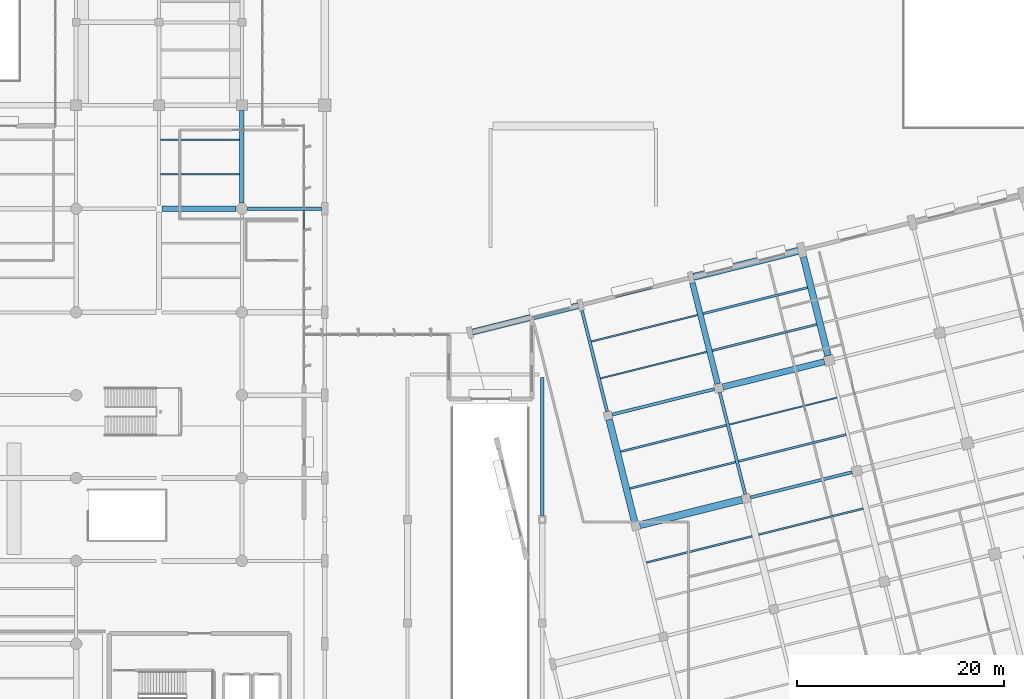
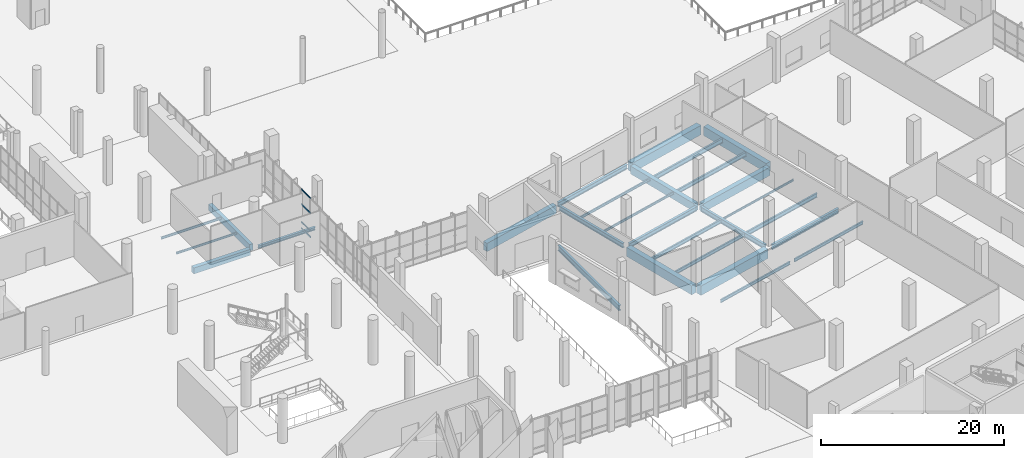
# One storey, part 95 of 163: 28 beams, 4 members, 1 element without a shape of its own.
"""IFC4 building model written with IfcOpenShell, lengths in metres."""

import ifcopenshell
import ifcopenshell.guid

model = None  # the IFC model being written
_history = None  # IfcOwnerHistory: only IFC2X3 demands one
_inside = {}  # id of a spatial element -> (the spatial element, [elements in it])
_under = {}  # id of a project, library or spatial element -> (it, [spatial elements below it])
_declared = {}  # id of a project -> (the project, [libraries it declares])
_typed = {}  # id of a type object -> (the type object, [elements of that type])
_made_of = {}  # id of a material, layer set ... -> (it, [elements and type objects made of it])


def new_model(schema):
    """Start an empty IFC model of exactly this schema.

    Asked for "IFC4X3", IfcOpenShell would pick the latest addendum, in which some entities
    have other attributes; the version numbers below select the first issue.
    IFC2X3 requires an IfcOwnerHistory on every rooted entity: one is made here for all.
    """
    global model, _history
    if schema == "IFC4X3":
        model = ifcopenshell.file(schema_version=(4, 3, 0, 0))
    else:
        model = ifcopenshell.file(schema=schema)
    _inside.clear()
    _under.clear()
    _declared.clear()
    _typed.clear()
    _made_of.clear()
    _history = None
    if model.schema == "IFC2X3":
        org = make("IfcOrganization", Name="unknown")
        user = make(
            "IfcPersonAndOrganization",
            ThePerson=make("IfcPerson", FamilyName="unknown"),
            TheOrganization=org,
        )
        app = make(
            "IfcApplication",
            ApplicationDeveloper=org,
            Version="unknown",
            ApplicationFullName="unknown",
            ApplicationIdentifier="unknown",
        )
        _history = make(
            "IfcOwnerHistory",
            OwningUser=user,
            OwningApplication=app,
            ChangeAction="ADDED",
            CreationDate=0,
        )
    return model


def make(cls, **values):
    """One entity of the class cls with the attributes given. An attribute that is None is left unset."""
    return model.create_entity(
        cls, **{name: value for name, value in values.items() if value is not None}
    )


def rooted(cls, **values):
    """An entity with a GlobalId (a new one), such as an element, a storey or a relation."""
    return make(cls, GlobalId=ifcopenshell.guid.new(), OwnerHistory=_history, **values)


def si_unit(unit_type, name, prefix=None):
    """IfcSIUnit, for example si_unit("LENGTHUNIT", "METRE", prefix="MILLI")."""
    return make("IfcSIUnit", UnitType=unit_type, Prefix=prefix, Name=name)


def assignment(units):
    """IfcUnitAssignment: the units of a project."""
    return None if units is None else make("IfcUnitAssignment", Units=units)


def point(xyz):
    """IfcCartesianPoint."""
    return None if xyz is None else make("IfcCartesianPoint", Coordinates=xyz)


def direction(xyz):
    """IfcDirection."""
    return None if xyz is None else make("IfcDirection", DirectionRatios=xyz)


def frame(location, z_axis=None, x_axis=None):
    """IfcAxis2Placement3D, a coordinate frame: its origin and axes. An axis left out is left unset."""
    return make(
        "IfcAxis2Placement3D",
        Location=point(location),
        Axis=direction(z_axis),
        RefDirection=direction(x_axis),
    )


def frame_2d(location, x_axis=None):
    """IfcAxis2Placement2D, a coordinate frame in the plane: its origin and x axis."""
    return make(
        "IfcAxis2Placement2D", Location=point(location), RefDirection=direction(x_axis)
    )


def origin():
    """The frame at (0, 0, 0) with its axes left unset."""
    return frame((0.0, 0.0, 0.0))


def origin_2d():
    """The frame at (0, 0) in the plane with its x axis left unset."""
    return frame_2d((0.0, 0.0))


def place(relative_to, where):
    """IfcLocalPlacement: puts the frame where relative to a parent placement (None: the world)."""
    return make(
        "IfcLocalPlacement", PlacementRelTo=relative_to, RelativePlacement=where
    )


def context(
    kind, dimensions, precision=None, world=None, true_north=None, identifier=None
):
    """IfcGeometricRepresentationContext, for example the 3D "Model" context."""
    return make(
        "IfcGeometricRepresentationContext",
        ContextIdentifier=identifier,
        ContextType=kind,
        CoordinateSpaceDimension=dimensions,
        Precision=precision,
        WorldCoordinateSystem=world,
        TrueNorth=true_north,
    )


def subcontext(parent, identifier, kind, view, scale=None):
    """IfcGeometricRepresentationSubContext, for example "Body" below "Model"."""
    return make(
        "IfcGeometricRepresentationSubContext",
        ContextIdentifier=identifier,
        ContextType=kind,
        ParentContext=parent,
        TargetScale=scale,
        TargetView=view,
    )


def project(units=None, contexts=None):
    """IfcProject with its units and contexts."""
    return rooted(
        "IfcProject",
        Name="project",
        RepresentationContexts=contexts,
        UnitsInContext=assignment(units),
    )


def spatial(cls, under=None, at=None, **own):
    """A site, building, storey or space (cls), placed at a placement, below another one or the project."""
    s = rooted(cls, ObjectPlacement=at, **own)
    if under is not None:
        _under.setdefault(under.id(), (under, []))[1].append(s)
    return s


def profile(cls, at=None, kind="AREA", **sizes):
    """A parametric profile (cls). Its sizes go by their IFC names, for example OverallWidth=200.0."""
    return make(cls, ProfileType=kind, Position=at, **sizes)


def rectangle(**sizes):
    """IfcRectangleProfileDef."""
    return profile("IfcRectangleProfileDef", **sizes)


def hollow_rectangle(**sizes):
    """IfcRectangleHollowProfileDef."""
    return profile("IfcRectangleHollowProfileDef", **sizes)


def i_section(**sizes):
    """IfcIShapeProfileDef."""
    return profile("IfcIShapeProfileDef", **sizes)


def extrude(swept, where, along, depth):
    """IfcExtrudedAreaSolid: the profile swept, set in the frame where, extruded along a direction by depth."""
    return make(
        "IfcExtrudedAreaSolid",
        SweptArea=swept,
        Position=where,
        ExtrudedDirection=direction(along),
        Depth=depth,
    )


def shape(context_of_items, identifier, shape_type, items):
    """IfcShapeRepresentation: the items that make up one representation, for example the "Body"."""
    return make(
        "IfcShapeRepresentation",
        ContextOfItems=context_of_items,
        RepresentationIdentifier=identifier,
        RepresentationType=shape_type,
        Items=items,
    )


def material(Name=None, Category=None):
    """IfcMaterial."""
    return make("IfcMaterial", Name=Name, Category=Category)


def layer(
    of_material, thickness, ventilated=None, Name=None, Category=None, Priority=None
):
    """IfcMaterialLayer: one layer of a wall or slab, of a material (None: an air gap)."""
    return make(
        "IfcMaterialLayer",
        Material=of_material,
        LayerThickness=thickness,
        IsVentilated=ventilated,
        Name=Name,
        Category=Category,
        Priority=Priority,
    )


def layer_set(layers, Name=None):
    """IfcMaterialLayerSet."""
    return make("IfcMaterialLayerSet", MaterialLayers=layers, LayerSetName=Name)


def material_profile(
    of_material, cross_section, Name=None, Category=None, Priority=None
):
    """IfcMaterialProfile: a cross section and its material."""
    return make(
        "IfcMaterialProfile",
        Name=Name,
        Material=of_material,
        Profile=cross_section,
        Priority=Priority,
        Category=Category,
    )


def profile_set(profiles, Name=None, composite=None):
    """IfcMaterialProfileSet."""
    return make(
        "IfcMaterialProfileSet",
        Name=Name,
        MaterialProfiles=profiles,
        CompositeProfile=composite,
    )


def made_of(thing, what):
    """Note that an element or type object is made of a material, layer set ...; save() writes the relation."""
    if what is not None:
        _made_of.setdefault(what.id(), (what, []))[1].append(thing)
    return thing


def type_object(cls, material=None, **own):
    """A type object (cls), such as IfcWallType, which elements share."""
    return made_of(rooted(cls, **own), material)


def element(
    cls,
    number,
    at=None,
    inside=None,
    cuts=None,
    type_object=None,
    material=None,
    context=None,
    identifier="Body",
    shape_type=None,
    held_by="IfcProductDefinitionShape",
    body=None,
    shapes=None,
    **own,
):
    """One element of the class cls, such as IfcWall. Its Tag is "e" and its number.

    at: its placement. inside: the storey or other place that contains it. cuts: it is an
    opening in that element (IfcRelVoidsElement). A single representation is given by context,
    identifier, shape_type and body (its items); several are given by shapes. held_by: the class
    of the entity that holds the representations. save() writes the other relations.
    """
    e = rooted(cls, Tag="e%d" % number, ObjectPlacement=at, **own)
    if body is not None:
        shapes = [shape(context, identifier, shape_type, body)]
    if shapes is not None:
        e.Representation = make(held_by, Representations=shapes)
    if inside is not None:
        _inside.setdefault(inside.id(), (inside, []))[1].append(e)
    if cuts is not None:
        rooted(
            "IfcRelVoidsElement", RelatingBuildingElement=cuts, RelatedOpeningElement=e
        )
    if type_object is not None:
        _typed.setdefault(type_object.id(), (type_object, []))[1].append(e)
    return made_of(e, material)


def aggregate(whole, parts):
    """IfcRelAggregates: a whole, such as a stair, and the parts it consists of."""
    return rooted("IfcRelAggregates", RelatingObject=whole, RelatedObjects=parts)


def save(model, path):
    """Write the relations noted so far, then the file.

    IfcRelAggregates (storeys below a building ...), IfcRelContainedInSpatialStructure (elements
    in a storey), IfcRelDefinesByType, IfcRelAssociatesMaterial and IfcRelDeclares: one each for
    every whole, place, type object, material and project.
    """
    for whole, parts in _under.values():
        aggregate(whole, parts)
    for where, things in _inside.values():
        rooted(
            "IfcRelContainedInSpatialStructure",
            RelatedElements=things,
            RelatingStructure=where,
        )
    for kind, things in _typed.values():
        rooted("IfcRelDefinesByType", RelatedObjects=things, RelatingType=kind)
    for what, things in _made_of.values():
        rooted("IfcRelAssociatesMaterial", RelatedObjects=things, RelatingMaterial=what)
    for by, libraries in _declared.values():
        rooted("IfcRelDeclares", RelatingContext=by, RelatedDefinitions=libraries)
    model.write(path)


model = new_model("IFC4")

# Units and contexts
model_context = context("Model", 3, precision=1e-05, world=origin(), true_north=direction((0.0, 1.0)))
body_context = subcontext(model_context, "Body", "Model", "MODEL_VIEW")
ifc_project = project(units=[si_unit("LENGTHUNIT", "METRE"), si_unit("AREAUNIT", "SQUARE_METRE"), si_unit("VOLUMEUNIT", "CUBIC_METRE"), si_unit("PLANEANGLEUNIT", "RADIAN"), si_unit("MASSUNIT", "GRAM", prefix="KILO")], contexts=[model_context])

# Site, building, storey
site_placement = place(None, origin())
site = spatial("IfcSite", under=ifc_project, at=site_placement, CompositionType="ELEMENT")
building_placement = place(site_placement, origin())
building = spatial("IfcBuilding", under=site, at=building_placement, Name="Khorjan Park Terminus", CompositionType="ELEMENT")
storey_placement = place(building_placement, origin())
storey = spatial("IfcBuildingStorey", under=building, at=storey_placement, Name="L00", CompositionType="ELEMENT", Elevation=0.0)

# Beams
ifc_material_1 = material(Name="Steel S355", Category="steel")
ifc_material_profile_1 = material_profile(ifc_material_1, i_section(OverallWidth=0.3, OverallDepth=0.39, WebThickness=0.011, FlangeThickness=0.019, FilletRadius=0.027, at=origin_2d()), Name="HEA 400")
ifc_profile_set_1 = profile_set([ifc_material_profile_1], Name="Steel S355")
beam_type_1 = type_object("IfcBeamType", Name="BM-HEA400", PredefinedType="BEAM", material=ifc_profile_set_1)
beam_1_placement = place(storey_placement, frame((128.545, 78.0, -0.545), z_axis=(1.0, 0.0, 0.0), x_axis=(0.0, 1.0, 0.0)))
element("IfcBeam", 1, at=beam_1_placement, inside=storey, type_object=beam_type_1, Name="Primary floor girder SB-A40 (L00)", PredefinedType="BEAM", context=body_context, shape_type="SweptSolid", body=[
    extrude(i_section(OverallWidth=0.3, OverallDepth=0.39, WebThickness=0.011, FlangeThickness=0.019, FilletRadius=0.027, at=origin_2d()), origin(), (0.0, 0.0, 1.0), 7.16),
])
ifc_material_profile_2 = material_profile(ifc_material_1, i_section(OverallWidth=0.3, OverallDepth=0.59, WebThickness=0.013, FlangeThickness=0.025, FilletRadius=0.027, at=origin_2d()), Name="HEA 600")
ifc_profile_set_2 = profile_set([ifc_material_profile_2], Name="Steel S355")
beam_type_2 = type_object("IfcBeamType", Name="BM-HEA600", PredefinedType="BEAM", material=ifc_profile_set_2)
beam_2_placement = place(storey_placement, frame((163.7508, 58.123, -0.645), z_axis=(0.970297661932, 0.241914131974, 0.0), x_axis=(-0.241914131974, 0.970297661932, 0.0)))
element("IfcBeam", 2, at=beam_2_placement, inside=storey, type_object=beam_type_2, Name="Primary skew-grid floor girder SB-A60 (L00)", PredefinedType="BEAM", context=body_context, shape_type="SweptSolid", body=[
    extrude(i_section(OverallWidth=0.3, OverallDepth=0.59, WebThickness=0.013, FlangeThickness=0.025, FilletRadius=0.027, at=origin_2d()), origin(), (0.0, 0.0, 1.0), 10.185),
])
beam_3_placement = place(storey_placement, frame((160.9441, 68.7599, -0.645), z_axis=(0.970295661671, 0.241922154716, 0.0), x_axis=(-0.241922154716, 0.970295661671, 0.0)))
element("IfcBeam", 3, at=beam_3_placement, inside=storey, type_object=beam_type_2, Name="Primary skew-grid floor girder SB-A60 (L00)", PredefinedType="BEAM", context=body_context, shape_type="SweptSolid", body=[
    extrude(i_section(OverallWidth=0.3, OverallDepth=0.59, WebThickness=0.013, FlangeThickness=0.025, FilletRadius=0.027, at=origin_2d()), origin(), (0.0, 0.0, 1.0), 10.51),
])
ifc_material_profile_3 = material_profile(ifc_material_1, i_section(OverallWidth=0.3, OverallDepth=0.64, WebThickness=0.0135, FlangeThickness=0.026, FilletRadius=0.027, at=origin_2d()), Name="HEA 650")
ifc_profile_set_3 = profile_set([ifc_material_profile_3], Name="Steel S355")
beam_type_3 = type_object("IfcBeamType", Name="BM-HEA650", PredefinedType="BEAM", material=ifc_profile_set_3)
beam_4_placement = place(storey_placement, frame((177.1095, 50.1169, -0.67), z_axis=(0.970296490369, 0.241918830968, 0.0), x_axis=(-0.241918830968, 0.970296490369, 0.0)))
element("IfcBeam", 4, at=beam_4_placement, inside=storey, type_object=beam_type_3, Name="Primary skew-grid floor girder SB-A65 (L00)", PredefinedType="BEAM", context=body_context, shape_type="SweptSolid", body=[
    extrude(i_section(OverallWidth=0.3, OverallDepth=0.64, WebThickness=0.0135, FlangeThickness=0.026, FilletRadius=0.027, at=origin_2d()), origin(), (0.0, 0.0, 1.0), 10.11),
])
beam_5_placement = place(storey_placement, frame((176.6003, 50.4228, -0.67), z_axis=(-0.241919549545, 0.97029631121, 0.0), x_axis=(-0.97029631121, -0.241919549545, 0.0)))
element("IfcBeam", 5, at=beam_5_placement, inside=storey, type_object=beam_type_3, Name="Primary skew-grid floor girder SB-A65 (L00)", PredefinedType="BEAM", context=body_context, shape_type="SweptSolid", body=[
    extrude(i_section(OverallWidth=0.3, OverallDepth=0.64, WebThickness=0.0135, FlangeThickness=0.026, FilletRadius=0.027, at=origin_2d()), origin(), (0.0, 0.0, 1.0), 10.16),
])
ifc_material_profile_4 = material_profile(ifc_material_1, i_section(OverallWidth=0.3, OverallDepth=0.69, WebThickness=0.0145, FlangeThickness=0.027, FilletRadius=0.027, at=origin_2d()), Name="HEA 700")
ifc_profile_set_4 = profile_set([ifc_material_profile_4], Name="Steel S355")
beam_type_4 = type_object("IfcBeamType", Name="BM-HEA700", PredefinedType="BEAM", material=ifc_profile_set_4)
beam_6_placement = place(storey_placement, frame((157.0, 48.37, -0.695), z_axis=(0.0, 1.0, 0.0), x_axis=(-1.0, 0.0, 0.0)))
element("IfcBeam", 6, at=beam_6_placement, inside=storey, type_object=beam_type_4, Name="Primary floor girder SB-A70 (L00)", PredefinedType="BEAM", context=body_context, shape_type="SweptSolid", body=[
    extrude(i_section(OverallWidth=0.3, OverallDepth=0.69, WebThickness=0.0145, FlangeThickness=0.027, FilletRadius=0.027, at=origin_2d()), origin(), (0.0, 0.0, 1.0), 13.335),
])
ifc_material_profile_5 = material_profile(ifc_material_1, i_section(OverallWidth=0.3, OverallDepth=0.6, WebThickness=0.0155, FlangeThickness=0.03, FilletRadius=0.027, at=origin_2d()), Name="HEB 600")
ifc_profile_set_5 = profile_set([ifc_material_profile_5], Name="Steel S355")
beam_type_5 = type_object("IfcBeamType", Name="BM-HEB600", PredefinedType="BEAM", material=ifc_profile_set_5)
beam_7_placement = place(storey_placement, frame((163.272, 58.4107, -0.65), z_axis=(-0.241920438591, 0.970296089548, 0.0), x_axis=(-0.970296089548, -0.241920438591, 0.0)))
element("IfcBeam", 7, at=beam_7_placement, inside=storey, type_object=beam_type_5, Name="Primary skew-grid floor girder SB-B60 (L00)", PredefinedType="BEAM", context=body_context, shape_type="SweptSolid", body=[
    extrude(i_section(OverallWidth=0.3, OverallDepth=0.6, WebThickness=0.0155, FlangeThickness=0.03, FilletRadius=0.027, at=origin_2d()), origin(), (0.0, 0.0, 1.0), 10.0599),
])
ifc_material_2 = material(Name="Concrete C40/50", Category="concrete")
ifc_material_profile_6 = material_profile(ifc_material_2, rectangle(XDim=0.45, YDim=0.85, at=origin_2d()), Name="RC 450x850")
ifc_profile_set_6 = profile_set([ifc_material_profile_6], Name="Concrete C40/50")
beam_type_6 = type_object("IfcBeamType", Name="BM-RC450x850", PredefinedType="BEAM", material=ifc_profile_set_6)
beam_8_placement = place(storey_placement, frame((128.0, 78.545, -0.775), z_axis=(0.0, 1.0, 0.0), x_axis=(-1.0, 0.0, 0.0)))
element("IfcBeam", 8, at=beam_8_placement, inside=storey, type_object=beam_type_6, Name="Primary floor girder GB-85 (L00)", PredefinedType="BEAM", context=body_context, shape_type="SweptSolid", body=[
    extrude(rectangle(XDim=0.45, YDim=0.85, at=origin_2d()), origin(), (0.0, 0.0, 1.0), 8.935),
])
ifc_material_profile_7 = material_profile(ifc_material_2, rectangle(XDim=0.5, YDim=0.8, at=origin_2d()), Name="RC 500x800")
ifc_profile_set_7 = profile_set([ifc_material_profile_7], Name="Concrete C40/50")
beam_type_7 = type_object("IfcBeamType", Name="BM-RC500x800", PredefinedType="BEAM", material=ifc_profile_set_7)
beam_9_placement = place(storey_placement, frame((120.295, 78.0, -0.75), z_axis=(1.0, 0.0, 0.0), x_axis=(0.0, 1.0, 0.0)))
element("IfcBeam", 9, at=beam_9_placement, inside=storey, type_object=beam_type_7, Name="Primary floor girder GB-08 (L00)", PredefinedType="BEAM", context=body_context, shape_type="SweptSolid", body=[
    extrude(rectangle(XDim=0.5, YDim=0.8, at=origin_2d()), origin(), (0.0, 0.0, 1.0), 7.16),
])
ifc_material_profile_8 = material_profile(ifc_material_2, rectangle(XDim=0.55, YDim=1.05, at=origin_2d()), Name="RC 550x1050")
ifc_profile_set_8 = profile_set([ifc_material_profile_8], Name="Concrete C40/50")
beam_type_8 = type_object("IfcBeamType", Name="BM-RC550x1050", PredefinedType="BEAM", material=ifc_profile_set_8)
beam_10_placement = place(storey_placement, frame((173.9392, 61.0961, -0.875), z_axis=(-0.24192360021, 0.970295301267, 0.0), x_axis=(-0.970295301267, -0.24192360021, 0.0)))
element("IfcBeam", 10, at=beam_10_placement, inside=storey, type_object=beam_type_8, Name="Primary skew-grid floor girder GB-105 (L00)", PredefinedType="BEAM", context=body_context, shape_type="SweptSolid", body=[
    extrude(rectangle(XDim=0.55, YDim=1.05, at=origin_2d()), origin(), (0.0, 0.0, 1.0), 10.035),
])
ifc_material_profile_9 = material_profile(ifc_material_2, rectangle(XDim=0.6, YDim=1.1, at=origin_2d()), Name="RC 600x1100")
ifc_profile_set_9 = profile_set([ifc_material_profile_9], Name="Concrete C40/50")
beam_type_9 = type_object("IfcBeamType", Name="BM-RC600x1100", PredefinedType="BEAM", material=ifc_profile_set_9)
beam_11_placement = place(storey_placement, frame((174.4483, 60.7902, -0.9), z_axis=(0.970296490369, 0.241918830968, 0.0), x_axis=(-0.241918830968, 0.970296490369, 0.0)))
element("IfcBeam", 11, at=beam_11_placement, inside=storey, type_object=beam_type_9, Name="Primary skew-grid floor girder GB-11 (L00)", PredefinedType="BEAM", context=body_context, shape_type="SweptSolid", body=[
    extrude(rectangle(XDim=0.6, YDim=1.1, at=origin_2d()), origin(), (0.0, 0.0, 1.0), 10.11),
])
beam_12_placement = place(storey_placement, frame((150.2709, 66.0988, -0.9), z_axis=(0.970295661671, 0.241922154716, 0.0), x_axis=(-0.241922154716, 0.970295661671, 0.0)))
element("IfcBeam", 12, at=beam_12_placement, inside=storey, type_object=beam_type_9, Name="Primary skew-grid floor girder GB-11 (L00)", PredefinedType="BEAM", context=body_context, shape_type="SweptSolid", body=[
    extrude(rectangle(XDim=0.6, YDim=1.1, at=origin_2d()), origin(), (0.0, 0.0, 1.0), 10.51),
])
ifc_material_profile_10 = material_profile(ifc_material_2, rectangle(XDim=0.65, YDim=1.2, at=origin_2d()), Name="RC 650x1200")
ifc_profile_set_10 = profile_set([ifc_material_profile_10], Name="Concrete C40/50")
beam_type_10 = type_object("IfcBeamType", Name="BM-RC650x1200", PredefinedType="BEAM", material=ifc_profile_set_10)
beam_13_placement = place(storey_placement, frame((165.9331, 47.7374, -0.95), z_axis=(-0.241920261086, 0.970296133805, 0.0), x_axis=(-0.970296133805, -0.241920261086, 0.0)))
element("IfcBeam", 13, at=beam_13_placement, inside=storey, type_object=beam_type_10, Name="Primary skew-grid floor girder GB-12 (L00)", PredefinedType="BEAM", context=body_context, shape_type="SweptSolid", body=[
    extrude(rectangle(XDim=0.65, YDim=1.2, at=origin_2d()), origin(), (0.0, 0.0, 1.0), 10.21),
])
beam_14_placement = place(storey_placement, frame((184.6004, 63.8057, -0.95), z_axis=(-0.241930300515, 0.970293630657, 0.0), x_axis=(-0.970293630657, -0.241930300515, 0.0)))
element("IfcBeam", 14, at=beam_14_placement, inside=storey, type_object=beam_type_10, Name="Primary skew-grid floor girder GB-12 (L00)", PredefinedType="BEAM", context=body_context, shape_type="SweptSolid", body=[
    extrude(rectangle(XDim=0.65, YDim=1.2, at=origin_2d()), origin(), (0.0, 0.0, 1.0), 9.8351),
])
ifc_material_profile_11 = material_profile(ifc_material_2, rectangle(XDim=0.7, YDim=1.25, at=origin_2d()), Name="RC 700x1250")
ifc_profile_set_11 = profile_set([ifc_material_profile_11], Name="Concrete C40/50")
beam_type_11 = type_object("IfcBeamType", Name="BM-RC700x1250", PredefinedType="BEAM", material=ifc_profile_set_11)
beam_15_placement = place(storey_placement, frame((166.412, 47.4497, -0.975), z_axis=(0.970294782603, 0.241925680435, 0.0), x_axis=(-0.241925680435, 0.970294782603, 0.0)))
element("IfcBeam", 15, at=beam_15_placement, inside=storey, type_object=beam_type_11, Name="Primary skew-grid floor girder GB-125 (L00)", PredefinedType="BEAM", context=body_context, shape_type="SweptSolid", body=[
    extrude(rectangle(XDim=0.7, YDim=1.25, at=origin_2d()), origin(), (0.0, 0.0, 1.0), 10.1849),
])
beam_16_placement = place(storey_placement, frame((171.6174, 71.4211, -0.975), z_axis=(0.970296003428, 0.241920784001, 0.0), x_axis=(-0.241920784001, 0.970296003428, 0.0)))
element("IfcBeam", 16, at=beam_16_placement, inside=storey, type_object=beam_type_11, Name="Primary skew-grid floor girder GB-125 (L00)", PredefinedType="BEAM", context=body_context, shape_type="SweptSolid", body=[
    extrude(rectangle(XDim=0.7, YDim=1.25, at=origin_2d()), origin(), (0.0, 0.0, 1.0), 10.41),
])
ifc_material_profile_12 = material_profile(ifc_material_1, i_section(OverallWidth=0.135, OverallDepth=0.27, WebThickness=0.0066, FlangeThickness=0.0102, FilletRadius=0.015, at=origin_2d()), Name="IPE 270")
ifc_profile_set_12 = profile_set([ifc_material_profile_12], Name="Steel S355")
beam_type_12 = type_object("IfcBeamType", Name="JS-IPE270", PredefinedType="JOIST", material=ifc_profile_set_12)
beam_17_placement = place(storey_placement, frame((175.0734, 57.1671, -0.485), z_axis=(0.970297331913, 0.241915455651, 0.0), x_axis=(-0.241915455651, 0.970297331913, 0.0)))
element("IfcBeam", 17, at=beam_17_placement, inside=storey, type_object=beam_type_12, Name="Secondary composite floor joist SJ-27 (L00)", PredefinedType="JOIST", context=body_context, shape_type="SweptSolid", body=[
    extrude(i_section(OverallWidth=0.135, OverallDepth=0.27, WebThickness=0.0066, FlangeThickness=0.0102, FilletRadius=0.015, at=origin_2d()), origin(), (0.0, 0.0, 1.0), 10.7),
])
beam_18_placement = place(storey_placement, frame((120.15, 81.3333, -0.485), z_axis=(1.0, 0.0, 0.0), x_axis=(0.0, 1.0, 0.0)))
element("IfcBeam", 18, at=beam_18_placement, inside=storey, type_object=beam_type_12, Name="Secondary composite floor joist SJ-27 (L00)", PredefinedType="JOIST", context=body_context, shape_type="SweptSolid", body=[
    extrude(i_section(OverallWidth=0.135, OverallDepth=0.27, WebThickness=0.0066, FlangeThickness=0.0102, FilletRadius=0.015, at=origin_2d()), origin(), (0.0, 0.0, 1.0), 7.625),
])
ifc_material_profile_13 = material_profile(ifc_material_1, i_section(OverallWidth=0.15, OverallDepth=0.3, WebThickness=0.0071, FlangeThickness=0.0107, FilletRadius=0.015, at=origin_2d()), Name="IPE 300")
ifc_profile_set_13 = profile_set([ifc_material_profile_13], Name="Steel S355")
beam_type_13 = type_object("IfcBeamType", Name="JS-IPE300", PredefinedType="JOIST", material=ifc_profile_set_13)
beam_19_placement = place(storey_placement, frame((162.626, 61.6215, -0.5), z_axis=(0.970296385626, 0.241919251074, 0.0), x_axis=(-0.241919251074, 0.970296385626, 0.0)))
element("IfcBeam", 19, at=beam_19_placement, inside=storey, type_object=beam_type_13, Name="Secondary composite floor joist SJ-30 (L00)", PredefinedType="JOIST", context=body_context, shape_type="SweptSolid", body=[
    extrude(i_section(OverallWidth=0.15, OverallDepth=0.3, WebThickness=0.0071, FlangeThickness=0.0107, FilletRadius=0.015, at=origin_2d()), origin(), (0.0, 0.0, 1.0), 10.575),
])
beam_20_placement = place(storey_placement, frame((120.15, 84.6667, -0.5), z_axis=(1.0, 0.0, 0.0), x_axis=(0.0, 1.0, 0.0)))
element("IfcBeam", 20, at=beam_20_placement, inside=storey, type_object=beam_type_13, Name="Secondary composite floor joist SJ-30 (L00)", PredefinedType="JOIST", context=body_context, shape_type="SweptSolid", body=[
    extrude(i_section(OverallWidth=0.15, OverallDepth=0.3, WebThickness=0.0071, FlangeThickness=0.0107, FilletRadius=0.015, at=origin_2d()), origin(), (0.0, 0.0, 1.0), 7.625),
])
ifc_material_profile_14 = material_profile(ifc_material_1, i_section(OverallWidth=0.16, OverallDepth=0.33, WebThickness=0.0075, FlangeThickness=0.0115, FilletRadius=0.018, at=origin_2d()), Name="IPE 330")
ifc_profile_set_14 = profile_set([ifc_material_profile_14], Name="Steel S355")
beam_type_14 = type_object("IfcBeamType", Name="JS-IPE330", PredefinedType="JOIST", material=ifc_profile_set_14)
beam_21_placement = place(storey_placement, frame((161.739, 65.1792, -0.515), z_axis=(0.970296385626, 0.241919251074, 0.0), x_axis=(-0.241919251074, 0.970296385626, 0.0)))
element("IfcBeam", 21, at=beam_21_placement, inside=storey, type_object=beam_type_14, Name="Secondary composite floor joist SJ-33 (L00)", PredefinedType="JOIST", context=body_context, shape_type="SweptSolid", body=[
    extrude(i_section(OverallWidth=0.16, OverallDepth=0.33, WebThickness=0.0075, FlangeThickness=0.0115, FilletRadius=0.018, at=origin_2d()), origin(), (0.0, 0.0, 1.0), 10.575),
])
ifc_material_profile_15 = material_profile(ifc_material_1, i_section(OverallWidth=0.18, OverallDepth=0.4, WebThickness=0.0086, FlangeThickness=0.0135, FilletRadius=0.021, at=origin_2d()), Name="IPE 400")
ifc_profile_set_15 = profile_set([ifc_material_profile_15], Name="Steel S355")
beam_type_15 = type_object("IfcBeamType", Name="JS-IPE400", PredefinedType="JOIST", material=ifc_profile_set_15)
beam_22_placement = place(storey_placement, frame((167.0613, 43.8327, -0.55), z_axis=(0.970296558074, 0.241918559415, 0.0), x_axis=(-0.241918559415, 0.970296558074, 0.0)))
element("IfcBeam", 22, at=beam_22_placement, inside=storey, type_object=beam_type_15, Name="Secondary composite floor joist SJ-40 (L00)", PredefinedType="JOIST", context=body_context, shape_type="SweptSolid", body=[
    extrude(i_section(OverallWidth=0.18, OverallDepth=0.4, WebThickness=0.0086, FlangeThickness=0.0135, FilletRadius=0.021, at=origin_2d()), origin(), (0.0, 0.0, 1.0), 10.525),
])
beam_23_placement = place(storey_placement, frame((177.9043, 46.5361, -0.55), z_axis=(0.970295586552, 0.241922456002, 0.0), x_axis=(-0.241922456002, 0.970295586552, 0.0)))
element("IfcBeam", 23, at=beam_23_placement, inside=storey, type_object=beam_type_15, Name="Secondary composite floor joist SJ-40 (L00)", PredefinedType="JOIST", context=body_context, shape_type="SweptSolid", body=[
    extrude(i_section(OverallWidth=0.18, OverallDepth=0.4, WebThickness=0.0086, FlangeThickness=0.0135, FilletRadius=0.021, at=origin_2d()), origin(), (0.0, 0.0, 1.0), 10.4),
])
ifc_material_profile_16 = material_profile(ifc_material_1, i_section(OverallWidth=0.19, OverallDepth=0.45, WebThickness=0.0094, FlangeThickness=0.0146, FilletRadius=0.021, at=origin_2d()), Name="IPE 450")
ifc_profile_set_16 = profile_set([ifc_material_profile_16], Name="Steel S355")
beam_type_16 = type_object("IfcBeamType", Name="JS-IPE450", PredefinedType="JOIST", material=ifc_profile_set_16)
beam_24_placement = place(storey_placement, frame((165.457, 50.9906, -0.575), z_axis=(0.970296002015, 0.241920789668, 0.0), x_axis=(-0.241920789668, 0.970296002015, 0.0)))
element("IfcBeam", 24, at=beam_24_placement, inside=storey, type_object=beam_type_16, Name="Secondary composite floor joist SJ-45 (L00)", PredefinedType="JOIST", context=body_context, shape_type="SweptSolid", body=[
    extrude(i_section(OverallWidth=0.19, OverallDepth=0.45, WebThickness=0.0094, FlangeThickness=0.0146, FilletRadius=0.021, at=origin_2d()), origin(), (0.0, 0.0, 1.0), 10.5249),
])
ifc_material_profile_17 = material_profile(ifc_material_1, i_section(OverallWidth=0.2, OverallDepth=0.5, WebThickness=0.0102, FlangeThickness=0.016, FilletRadius=0.021, at=origin_2d()), Name="IPE 500")
ifc_profile_set_17 = profile_set([ifc_material_profile_17], Name="Steel S355")
beam_type_17 = type_object("IfcBeamType", Name="JS-IPE500", PredefinedType="JOIST", material=ifc_profile_set_17)
beam_25_placement = place(storey_placement, frame((164.5699, 54.5482, -0.6), z_axis=(0.970294327804, 0.241927504493, 0.0), x_axis=(-0.241927504493, 0.970294327805, 0.0)))
element("IfcBeam", 25, at=beam_25_placement, inside=storey, type_object=beam_type_17, Name="Secondary composite floor joist SJ-50 (L00)", PredefinedType="JOIST", context=body_context, shape_type="SweptSolid", body=[
    extrude(i_section(OverallWidth=0.2, OverallDepth=0.5, WebThickness=0.0102, FlangeThickness=0.016, FilletRadius=0.021, at=origin_2d()), origin(), (0.0, 0.0, 1.0), 10.5251),
])
ifc_material_profile_18 = material_profile(ifc_material_1, i_section(OverallWidth=0.21, OverallDepth=0.55, WebThickness=0.0111, FlangeThickness=0.0172, FilletRadius=0.024, at=origin_2d()), Name="IPE 550")
ifc_profile_set_18 = profile_set([ifc_material_profile_18], Name="Steel S355")
beam_type_18 = type_object("IfcBeamType", Name="JS-IPE550", PredefinedType="JOIST", material=ifc_profile_set_18)
beam_26_placement = place(storey_placement, frame((175.9604, 53.6094, -0.625), z_axis=(0.970297331913, 0.241915455651, 0.0), x_axis=(-0.241915455651, 0.970297331913, 0.0)))
element("IfcBeam", 26, at=beam_26_placement, inside=storey, type_object=beam_type_18, Name="Secondary composite floor joist SJ-55 (L00)", PredefinedType="JOIST", context=body_context, shape_type="SweptSolid", body=[
    extrude(i_section(OverallWidth=0.21, OverallDepth=0.55, WebThickness=0.0111, FlangeThickness=0.0172, FilletRadius=0.024, at=origin_2d()), origin(), (0.0, 0.0, 1.0), 10.7),
])
beam_27_placement = place(storey_placement, frame((173.4206, 64.3129, -0.625), z_axis=(0.970297843589, 0.241913403364, 0.0), x_axis=(-0.241913403364, 0.970297843589, 0.0)))
element("IfcBeam", 27, at=beam_27_placement, inside=storey, type_object=beam_type_18, Name="Secondary composite floor joist SJ-55 (L00)", PredefinedType="JOIST", context=body_context, shape_type="SweptSolid", body=[
    extrude(i_section(OverallWidth=0.21, OverallDepth=0.55, WebThickness=0.0111, FlangeThickness=0.0172, FilletRadius=0.024, at=origin_2d()), origin(), (0.0, 0.0, 1.0), 10.4),
])
ifc_material_profile_19 = material_profile(ifc_material_1, i_section(OverallWidth=0.22, OverallDepth=0.6, WebThickness=0.012, FlangeThickness=0.019, FilletRadius=0.024, at=origin_2d()), Name="IPE 600")
ifc_profile_set_19 = profile_set([ifc_material_profile_19], Name="Steel S355")
beam_type_19 = type_object("IfcBeamType", Name="JS-IPE600", PredefinedType="JOIST", material=ifc_profile_set_19)
beam_28_placement = place(storey_placement, frame((172.5335, 67.8705, -0.65), z_axis=(0.970295586552, 0.241922456002, 0.0), x_axis=(-0.241922456002, 0.970295586552, 0.0)))
element("IfcBeam", 28, at=beam_28_placement, inside=storey, type_object=beam_type_19, Name="Secondary composite floor joist SJ-60 (L00)", PredefinedType="JOIST", context=body_context, shape_type="SweptSolid", body=[
    extrude(i_section(OverallWidth=0.22, OverallDepth=0.6, WebThickness=0.012, FlangeThickness=0.019, FilletRadius=0.024, at=origin_2d()), origin(), (0.0, 0.0, 1.0), 10.4),
])

# Curtain wall, members
ifc_material_3 = material(Name="Anodized Bronze Aluminium", Category="aluminium")
ifc_layer = layer(ifc_material_3, 0.22)
ifc_layer_set = layer_set([ifc_layer], Name="Anodized Bronze Aluminium")
curtain_wall_type = type_object("IfcCurtainWallType", Name="CW-CONC-A", PredefinedType="NOTDEFINED", material=ifc_layer_set)
curtain_wall_placement = place(storey_placement, origin())
curtain_wall = element("IfcCurtainWall", 29, at=curtain_wall_placement, inside=storey, type_object=curtain_wall_type, Name="Unitized curtain wall CW-A (CW-V2-E-L00-04)", PredefinedType="NOTDEFINED")
ifc_material_profile_20 = material_profile(ifc_material_3, hollow_rectangle(XDim=0.075, YDim=0.185, WallThickness=0.005, InnerFilletRadius=0.005, OuterFilletRadius=0.01, at=origin_2d()), Name="ALT 75x185x5")
ifc_profile_set_20 = profile_set([ifc_material_profile_20], Name="Anodized Bronze Aluminium")
member_type = type_object("IfcMemberType", Name="TR-ALT-185", PredefinedType="USERDEFINED", material=ifc_profile_set_20)
member_1_placement = place(storey_placement, frame((134.0, 76.0, 0.04), z_axis=(0.0, 1.0, 0.0), x_axis=(-1.0, 0.0, 0.0)))
member_1 = element("IfcMember", 30, at=member_1_placement, type_object=member_type, Name="Curtain-wall transom TR-18 (CW-V2-E-L00-04-1-1)", ObjectType="TRANSOM", PredefinedType="USERDEFINED", context=body_context, shape_type="SweptSolid", body=[
    extrude(hollow_rectangle(XDim=0.075, YDim=0.185, WallThickness=0.005, InnerFilletRadius=0.005, OuterFilletRadius=0.01, at=origin_2d()), origin(), (0.0, 0.0, 1.0), 2.0),
])
member_2_placement = place(storey_placement, frame((134.0, 76.0, 0.85), z_axis=(0.0, 1.0, 0.0), x_axis=(-1.0, 0.0, 0.0)))
member_2 = element("IfcMember", 31, at=member_2_placement, type_object=member_type, Name="Curtain-wall transom TR-18 (CW-V2-E-L00-04-1-2)", ObjectType="TRANSOM", PredefinedType="USERDEFINED", context=body_context, shape_type="SweptSolid", body=[
    extrude(hollow_rectangle(XDim=0.075, YDim=0.185, WallThickness=0.005, InnerFilletRadius=0.005, OuterFilletRadius=0.01, at=origin_2d()), origin(), (0.0, 0.0, 1.0), 2.0),
])
member_3_placement = place(storey_placement, frame((134.0, 76.0, 3.2395), z_axis=(0.0, 1.0, 0.0), x_axis=(-1.0, 0.0, 0.0)))
member_3 = element("IfcMember", 32, at=member_3_placement, type_object=member_type, Name="Curtain-wall transom TR-18 (CW-V2-E-L00-04-1-3)", ObjectType="TRANSOM", PredefinedType="USERDEFINED", context=body_context, shape_type="SweptSolid", body=[
    extrude(hollow_rectangle(XDim=0.075, YDim=0.185, WallThickness=0.005, InnerFilletRadius=0.005, OuterFilletRadius=0.01, at=origin_2d()), origin(), (0.0, 0.0, 1.0), 2.0),
])
member_4_placement = place(storey_placement, frame((134.0, 76.0, 5.185), z_axis=(0.0, 1.0, 0.0), x_axis=(-1.0, 0.0, 0.0)))
member_4 = element("IfcMember", 33, at=member_4_placement, type_object=member_type, Name="Curtain-wall transom TR-18 (CW-V2-E-L00-04-1-4)", ObjectType="TRANSOM", PredefinedType="USERDEFINED", context=body_context, shape_type="SweptSolid", body=[
    extrude(hollow_rectangle(XDim=0.075, YDim=0.185, WallThickness=0.005, InnerFilletRadius=0.005, OuterFilletRadius=0.01, at=origin_2d()), origin(), (0.0, 0.0, 1.0), 2.0),
])
aggregate(curtain_wall, [member_1, member_2, member_3, member_4])

save(model, "model.ifc")
